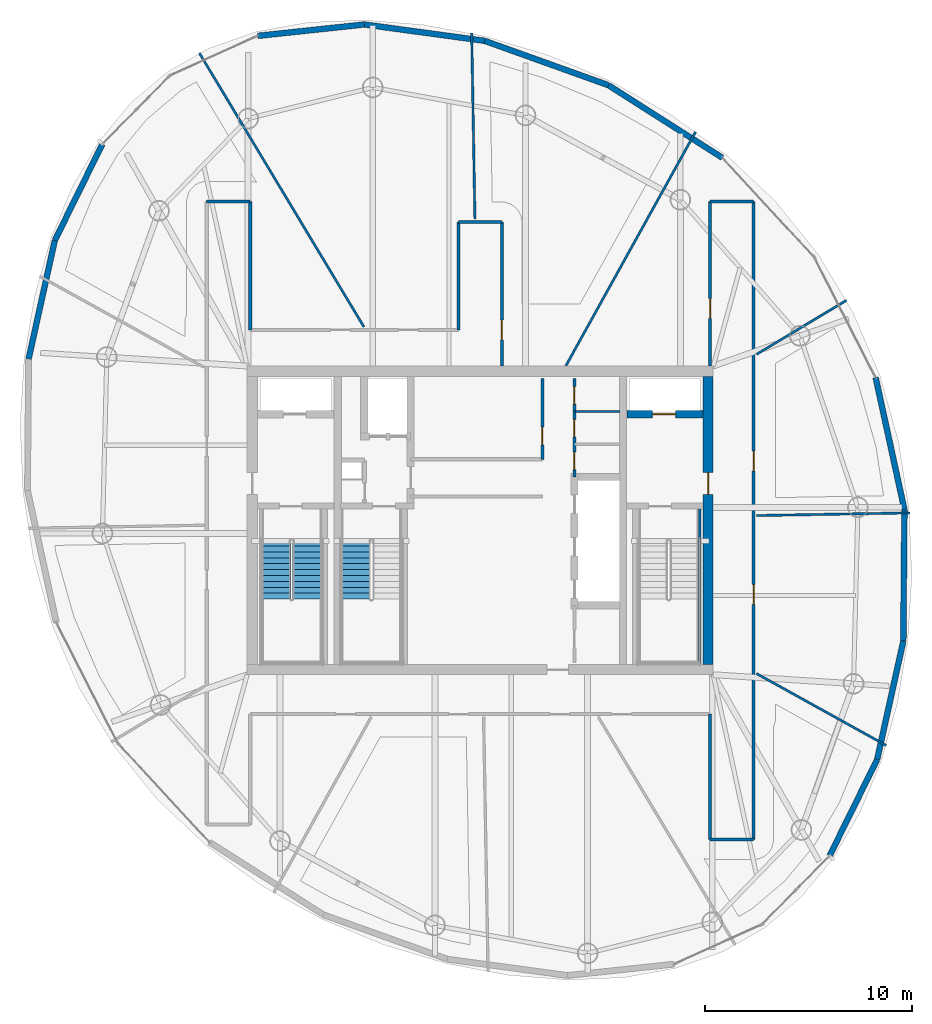
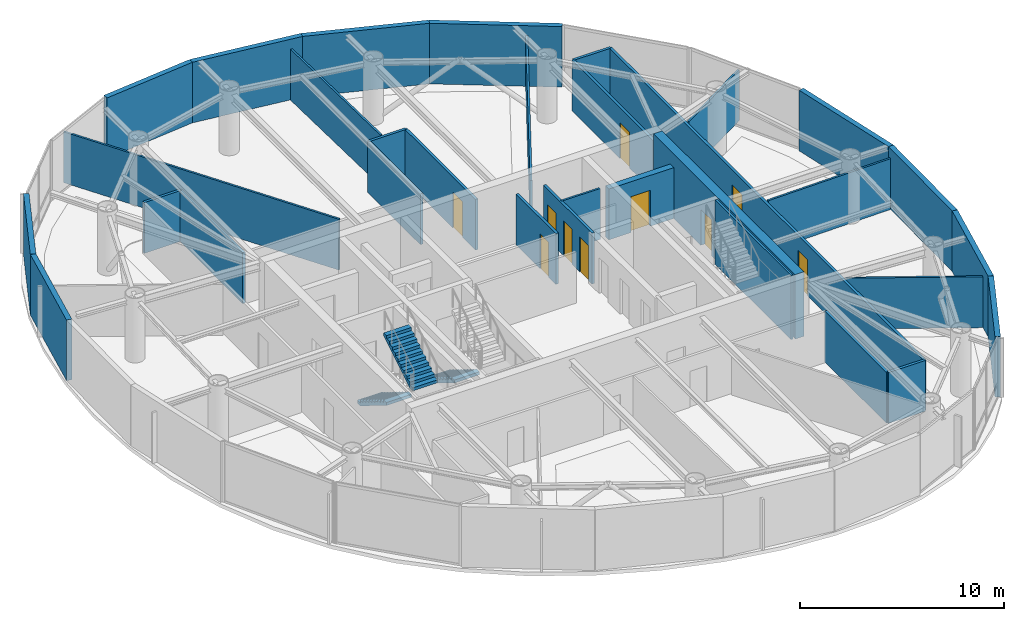
# One storey, part 18 of 22: 32 walls, 10 doors, 3 stair flights, 10 openings, 2 elements without a shape of their own.
"""IFC4 building model written with IfcOpenShell, lengths in metres."""

from ifc_helpers import new_model, si_unit, direction, frame, frame_2d, origin, place, context, subcontext, project, spatial, polyline, rectangle, outline, extrude, material, layer, layer_set, type_object, element, fill, aggregate, save


model = new_model("IFC4")

# Units and contexts
model_context = context("Model", 3, precision=1e-05, world=origin(), true_north=direction((0.0, 1.0)))
body_context = subcontext(model_context, "Body", "Model", "MODEL_VIEW")
ifc_project = project(units=[si_unit("LENGTHUNIT", "METRE"), si_unit("AREAUNIT", "SQUARE_METRE"), si_unit("VOLUMEUNIT", "CUBIC_METRE"), si_unit("PLANEANGLEUNIT", "RADIAN"), si_unit("MASSUNIT", "GRAM", prefix="KILO")], contexts=[model_context])

# Site, building, storey
site_placement = place(None, origin())
site = spatial("IfcSite", under=ifc_project, at=site_placement, CompositionType="ELEMENT")
building_placement = place(site_placement, origin())
building = spatial("IfcBuilding", under=site, at=building_placement, Name="Bramvorn Convention Spire", CompositionType="ELEMENT")
storey_placement = place(building_placement, frame((0.0, 0.0, 253.60009765625)))
storey = spatial("IfcBuildingStorey", under=building, at=storey_placement, Name="L64", CompositionType="ELEMENT", Elevation=253.60009765625)

# Wall, opening, door
ifc_material_1 = material(Name="Concrete C50/60", Category="concrete")
ifc_layer_1 = layer(ifc_material_1, 0.5)
ifc_layer_set_1 = layer_set([ifc_layer_1], Name="Concrete C50/60 - WL-CORE-500")
wall_type_1 = type_object("IfcWallType", Name="WL-CORE-500", PredefinedType="SHEAR", material=ifc_layer_set_1)
wall_1_placement = place(storey_placement, frame((49.0, 19.050048828125, 0.0), z_axis=(0.0, 0.0, 1.0), x_axis=(0.0, 1.0, 0.0)))
wall_1 = element("IfcWall", 1, at=wall_1_placement, inside=storey, type_object=wall_type_1, Name="L64 East RC core shear wall", PredefinedType="SHEAR", context=body_context, shape_type="SweptSolid", body=[
    extrude(rectangle(XDim=13.89990234375, YDim=0.5, at=frame_2d((6.949951171875, 0.0))), origin(), (0.0, 0.0, 1.0), 3.849853515625),
])
opening_1_placement = place(wall_1_placement, frame((8.199951171875, 0.0, 0.0)))
opening_1 = element("IfcOpeningElement", 2, at=opening_1_placement, cuts=wall_1, Name="Opening DL-105", PredefinedType="OPENING", context=body_context, shape_type="SweptSolid", body=[
    extrude(rectangle(XDim=1.050048828125, YDim=2.14990234375, at=frame_2d((0.52490234375, 1.074951171875))), frame((0.0, 0.260009765625, 0.0), z_axis=(0.0, -1.0, 0.0), x_axis=(1.0, 0.0, 0.0)), (0.0, 0.0, 1.0), 0.52001953125),
])
ifc_material_2 = material(Name="Smoke-Sealed Fire Lobby Timber-Core Door", Category="wood")
door_type_1 = type_object("IfcDoorType", Name="DR-LOBBY-1050", OperationType="NOTDEFINED", PredefinedType="DOOR", material=ifc_material_2)
door_1_placement = place(opening_1_placement, origin())
door_1 = element("IfcDoor", 3, at=door_1_placement, inside=storey, type_object=door_type_1, Name="L64 East Firefighting Lobby corridor door", OperationType="SINGLE_SWING_LEFT", OverallHeight=2.14990234375, OverallWidth=1.050048828125, PredefinedType="DOOR", context=body_context, shape_type="SweptSolid", body=[
    extrude(rectangle(XDim=1.050048828125, YDim=2.14990234375, at=frame_2d((0.52490234375, 1.074951171875))), frame((0.0, 0.02490234375, 0.0), z_axis=(0.0, -1.0, 0.0), x_axis=(1.0, 0.0, 0.0)), (0.0, 0.0, 1.0), 0.050048828125),
])
fill(opening_1, door_1)

ifc_layer_2 = layer(ifc_material_1, 0.35009765625)
ifc_layer_set_2 = layer_set([ifc_layer_2], Name="Concrete C50/60 - WL-CORE-INT-350")
wall_type_2 = type_object("IfcWallType", Name="WL-CORE-INT-350", PredefinedType="SHEAR", material=ifc_layer_set_2)
wall_2_placement = place(storey_placement, frame((45.080078125, 31.1201171875, 0.0), z_axis=(0.0, 0.0, 1.0), x_axis=(1.0, 0.0, 0.0)))
wall_2 = element("IfcWall", 4, at=wall_2_placement, inside=storey, type_object=wall_type_2, Name="L64 FE2 shaft front wall", PredefinedType="SHEAR", context=body_context, shape_type="SweptSolid", body=[
    extrude(rectangle(XDim=3.669921875, YDim=0.35009765625, at=frame_2d((1.8349609375, 0.0))), origin(), (0.0, 0.0, 1.0), 3.039794921875),
])
opening_2_placement = place(wall_2_placement, frame((1.25, 0.0, 0.0)))
opening_2 = element("IfcOpeningElement", 5, at=opening_2_placement, cuts=wall_2, Name="Opening LD-110", PredefinedType="OPENING", context=body_context, shape_type="SweptSolid", body=[
    extrude(rectangle(XDim=1.10009765625, YDim=2.14990234375, at=frame_2d((0.550048828125, 1.074951171875))), frame((0.0, 0.18505859375, 0.0), z_axis=(0.0, -1.0, 0.0), x_axis=(1.0, 0.0, 0.0)), (0.0, 0.0, 1.0), 0.3701171875),
])
ifc_material_3 = material(Name="Firefighting & Service Lift Sliding Landing Door", Category="steel")
door_type_2 = type_object("IfcDoorType", Name="DR-LIFT-LD-1100", OperationType="NOTDEFINED", PredefinedType="DOOR", material=ifc_material_3)
door_2_placement = place(opening_2_placement, origin())
door_2 = element("IfcDoor", 6, at=door_2_placement, inside=storey, type_object=door_type_2, Name="L64 Lift FE2 Sliding Landing Door", OperationType="SLIDING_TO_LEFT", OverallHeight=2.14990234375, OverallWidth=1.10009765625, PredefinedType="DOOR", context=body_context, shape_type="SweptSolid", body=[
    extrude(rectangle(XDim=1.10009765625, YDim=2.14990234375, at=frame_2d((0.550048828125, 1.074951171875))), frame((0.0, 0.02490234375, 0.0), z_axis=(0.0, -1.0, 0.0), x_axis=(1.0, 0.0, 0.0)), (0.0, 0.0, 1.0), 0.050048828125),
])
fill(opening_2, door_2)

# Walls
ifc_material_4 = material(Name="Precast Concrete C40/50 with Bronze Terracotta Rainscreen", Category="masonry")
ifc_layer_3 = layer(ifc_material_4, 0.300048828125)
ifc_layer_set_3 = layer_set([ifc_layer_3], Name="Precast Concrete C40/50 with Bronze Terracotta Rainscreen - WL-EXT-BRONZE-300")
wall_type_3 = type_object("IfcWallType", Name="WL-EXT-BRONZE-300", PredefinedType="SOLIDWALL", material=ifc_layer_set_3)
wall_3_placement = place(storey_placement, frame((57.16259765625, 14.4541015625, 0.0), z_axis=(0.0, 0.0, 1.0), x_axis=(-0.44296604634, -0.896538388352, 0.0)))
element("IfcWall", 7, at=wall_3_placement, inside=storey, type_object=wall_type_3, Name="L64 expressed bronze Gothic lancet pier wall 02", PredefinedType="SOLIDWALL", context=body_context, shape_type="SweptSolid", body=[
    extrude(rectangle(XDim=5.17919921875, YDim=0.280029296875, at=frame_2d((2.589599609375, 0.0))), origin(), (0.0, 0.0, 1.0), 3.625),
])
wall_4_placement = place(storey_placement, frame((58.4267578125, 20.176025390625, 0.0), z_axis=(0.0, 0.0, 1.0), x_axis=(-0.215730402944, -0.976452965199, 0.0)))
element("IfcWall", 8, at=wall_4_placement, inside=storey, type_object=wall_type_3, Name="L64 expressed bronze Gothic lancet pier wall 03", PredefinedType="SOLIDWALL", context=body_context, shape_type="SweptSolid", body=[
    extrude(rectangle(XDim=5.85986328125, YDim=0.280029296875, at=frame_2d((2.929931640625, 0.0))), origin(), (0.0, 0.0, 1.0), 3.625),
])
wall_5_placement = place(storey_placement, frame((58.479736328125, 26.52099609375, 0.0), z_axis=(0.0, 0.0, 1.0), x_axis=(-0.008349395362, -0.999965143191, 0.0)))
element("IfcWall", 9, at=wall_5_placement, inside=storey, type_object=wall_type_3, Name="L64 expressed bronze Gothic lancet pier wall 04", PredefinedType="SOLIDWALL", context=body_context, shape_type="SweptSolid", body=[
    extrude(rectangle(XDim=6.34521484375, YDim=0.280029296875, at=frame_2d((3.172607421875, 0.0))), origin(), (0.0, 0.0, 1.0), 3.625),
])
for number, where, z_axis, x_axis, name in (
    (10, (57.09033203125, 32.897705078125, 0.0), (0.0, 0.0, 1.0), (0.212892433961, -0.977075642702, 0.0), "L64 expressed bronze Gothic lancet pier wall 05"),
    (11, (44.1875, 47.008544921875, 0.0), (0.0, 0.0, 1.0), (0.843459639853, -0.537192550152, 0.0), "L64 expressed bronze Gothic lancet pier wall 08"),
):
    element("IfcWall", number, at=place(storey_placement, frame(where, z_axis=z_axis, x_axis=x_axis)), inside=storey, type_object=wall_type_3, Name=name, PredefinedType="SOLIDWALL", context=body_context, shape_type="SweptSolid", body=[
        extrude(rectangle(XDim=6.5263671875, YDim=0.280029296875, at=frame_2d((3.26318359375, 0.0))), origin(), (0.0, 0.0, 1.0), 3.625),
    ])
wall_6_placement = place(storey_placement, frame((38.214599609375, 49.149658203125, 0.0), z_axis=(0.0, 0.0, 1.0), x_axis=(0.941345169533, -0.337445213031, 0.0)))
element("IfcWall", 12, at=wall_6_placement, inside=storey, type_object=wall_type_3, Name="L64 expressed bronze Gothic lancet pier wall 09", PredefinedType="SOLIDWALL", context=body_context, shape_type="SweptSolid", body=[
    extrude(rectangle(XDim=6.344970703125, YDim=0.280029296875, at=frame_2d((3.17236328125, 0.0))), origin(), (0.0, 0.0, 1.0), 3.625),
])
wall_7_placement = place(storey_placement, frame((32.407958984375, 49.939208984375, 0.0), z_axis=(0.0, 0.0, 1.0), x_axis=(0.990881813427, -0.134733929727, 0.0)))
element("IfcWall", 13, at=wall_7_placement, inside=storey, type_object=wall_type_3, Name="L64 expressed bronze Gothic lancet pier wall 10", PredefinedType="SOLIDWALL", context=body_context, shape_type="SweptSolid", body=[
    extrude(rectangle(XDim=5.860107421875, YDim=0.280029296875, at=frame_2d((2.93017578125, 0.0))), origin(), (0.0, 0.0, 1.0), 3.625),
])
for number, where, z_axis, x_axis, name in (
    (14, (27.258056640625, 49.389404296875, 0.0), (0.0, 0.0, 1.0), (0.994349385692, 0.10615695537, 0.0), "L64 expressed bronze Gothic lancet pier wall 11"),
    (15, (17.464111328125, 39.514404296875, 0.0), (0.0, 0.0, 1.0), (0.44296604634, 0.896538388352, 0.0), "L64 expressed bronze Gothic lancet pier wall 14"),
):
    element("IfcWall", number, at=place(storey_placement, frame(where, z_axis=z_axis, x_axis=x_axis)), inside=storey, type_object=wall_type_3, Name=name, PredefinedType="SOLIDWALL", context=body_context, shape_type="SweptSolid", body=[
        extrude(rectangle(XDim=5.17919921875, YDim=0.280029296875, at=frame_2d((2.589599609375, 0.0))), origin(), (0.0, 0.0, 1.0), 3.625),
    ])
wall_8_placement = place(storey_placement, frame((16.2001953125, 33.792236328125, 0.0), z_axis=(0.0, 0.0, 1.0), x_axis=(0.215681903997, 0.97646367894, 0.0)))
element("IfcWall", 16, at=wall_8_placement, inside=storey, type_object=wall_type_3, Name="L64 expressed bronze Gothic lancet pier wall 15", PredefinedType="SOLIDWALL", context=body_context, shape_type="SweptSolid", body=[
    extrude(rectangle(XDim=5.860107421875, YDim=0.280029296875, at=frame_2d((2.93017578125, 0.0))), origin(), (0.0, 0.0, 1.0), 3.625),
])
ifc_material_5 = material(Name="Lightweight En-Suite & Wet-Wall Partition", Category="gypsum")
ifc_layer_4 = layer(ifc_material_5, 0.110107421875)
ifc_layer_set_4 = layer_set([ifc_layer_4], Name="Lightweight En-Suite & Wet-Wall Partition - WL-PART-110")
wall_type_4 = type_object("IfcWallType", Name="WL-PART-110", PredefinedType="PARTITIONING", material=ifc_layer_set_4)
wall_9_placement = place(storey_placement, frame((42.550048828125, 31.260009765625, 0.0), z_axis=(0.0, 0.0, 1.0), x_axis=(1.0, 0.0, 0.0)))
element("IfcWall", 17, at=wall_9_placement, inside=storey, type_object=wall_type_4, Name="L64 KC NE div 2", PredefinedType="PARTITIONING", context=body_context, shape_type="SweptSolid", body=[
    extrude(rectangle(XDim=2.199951171875, YDim=0.110107421875, at=frame_2d((1.10009765625, 0.0))), origin(), (0.0, 0.0, 1.0), 3.039794921875),
])
wall_10_placement = place(storey_placement, frame((51.340087890625, 26.23291015625, 0.0), z_axis=(0.0, 0.0, 1.0), x_axis=(0.999847881994, 0.017441699244, 0.0)))
element("IfcWall", 18, at=wall_10_placement, inside=storey, type_object=wall_type_4, Name="L64 Tenant suite partition 1", PredefinedType="PARTITIONING", context=body_context, shape_type="SweptSolid", body=[
    extrude(rectangle(XDim=7.40478515625, YDim=0.110107421875, at=frame_2d((3.702392578125, 0.0))), origin(), (0.0, 0.0, 1.0), 3.039794921875),
])
wall_11_placement = place(storey_placement, frame((51.340087890625, 34.015380859375, 0.0), z_axis=(0.0, 0.0, 1.0), x_axis=(0.857144436963, 0.515076124649, 0.0)))
element("IfcWall", 19, at=wall_11_placement, inside=storey, type_object=wall_type_4, Name="L64 Tenant suite partition 2", PredefinedType="PARTITIONING", context=body_context, shape_type="SweptSolid", body=[
    extrude(rectangle(XDim=5.07177734375, YDim=0.110107421875, at=frame_2d((2.535888671875, 0.0))), origin(), (0.0, 0.0, 1.0), 3.039794921875),
])
wall_12_placement = place(storey_placement, frame((42.140625, 33.469970703125, 0.0), z_axis=(0.0, 0.0, 1.0), x_axis=(0.4848063211, 0.874621535878, 0.0)))
element("IfcWall", 20, at=wall_12_placement, inside=storey, type_object=wall_type_4, Name="L64 Tenant suite partition 3", PredefinedType="PARTITIONING", context=body_context, shape_type="SweptSolid", body=[
    extrude(rectangle(XDim=12.912353515625, YDim=0.110107421875, at=frame_2d((6.4560546875, 0.0))), origin(), (0.0, 0.0, 1.0), 3.039794921875),
])
wall_13_placement = place(storey_placement, frame((37.74609375, 40.5400390625, 0.0), z_axis=(0.0, 0.0, 1.0), x_axis=(-0.017448211892, 0.999847768364, 0.0)))
element("IfcWall", 21, at=wall_13_placement, inside=storey, type_object=wall_type_4, Name="L64 Tenant suite partition 4", PredefinedType="PARTITIONING", context=body_context, shape_type="SweptSolid", body=[
    extrude(rectangle(XDim=8.983154296875, YDim=0.110107421875, at=frame_2d((4.49169921875, 0.0))), origin(), (0.0, 0.0, 1.0), 3.039794921875),
])
wall_14_placement = place(storey_placement, frame((32.387939453125, 35.340087890625, 0.0), z_axis=(0.0, 0.0, 1.0), x_axis=(-0.515035560083, 0.857168811758, 0.0)))
element("IfcWall", 22, at=wall_14_placement, inside=storey, type_object=wall_type_4, Name="L64 Tenant suite partition 5", PredefinedType="PARTITIONING", context=body_context, shape_type="SweptSolid", body=[
    extrude(rectangle(XDim=15.427734375, YDim=0.110107421875, at=frame_2d((7.7138671875, 0.0))), origin(), (0.0, 0.0, 1.0), 3.039794921875),
])
wall_15_placement = place(storey_placement, frame((51.340087890625, 18.60546875, 0.0), z_axis=(0.0, 0.0, 1.0), x_axis=(0.874626215233, -0.484797879149, 0.0)))
element("IfcWall", 23, at=wall_15_placement, inside=storey, type_object=wall_type_4, Name="L64 Tenant suite partition 12", PredefinedType="PARTITIONING", context=body_context, shape_type="SweptSolid", body=[
    extrude(rectangle(XDim=7.16455078125, YDim=0.110107421875, at=frame_2d((3.582275390625, 0.0))), origin(), (0.0, 0.0, 1.0), 3.039794921875),
])

# Wall, opening, door
ifc_material_6 = material(Name="Acoustic Metal-Stud Tenant/Corridor Partition", Category="gypsum")
ifc_layer_5 = layer(ifc_material_6, 0.14990234375)
ifc_layer_set_5 = layer_set([ifc_layer_5], Name="Acoustic Metal-Stud Tenant/Corridor Partition - WL-PART-150")
wall_type_5 = type_object("IfcWallType", Name="WL-PART-150", PredefinedType="PARTITIONING", material=ifc_layer_set_5)
wall_16_placement = place(storey_placement, frame((41.0, 28.949951171875, 0.0), z_axis=(0.0, 0.0, 1.0), x_axis=(0.0, 1.0, 0.0)))
wall_16 = element("IfcWall", 24, at=wall_16_placement, inside=storey, type_object=wall_type_5, Name="L64 Freed north shaft room wall", PredefinedType="PARTITIONING", context=body_context, shape_type="SweptSolid", body=[
    extrude(rectangle(XDim=3.900146484375, YDim=0.14990234375, at=frame_2d((1.9501953125, 0.0))), origin(), (0.0, 0.0, 1.0), 3.039794921875),
])
opening_3_placement = place(wall_16_placement, frame((0.699951171875, 0.0, 0.0)))
opening_3 = element("IfcOpeningElement", 25, at=opening_3_placement, cuts=wall_16, Name="Opening DC-085", PredefinedType="OPENING", context=body_context, shape_type="SweptSolid", body=[
    extrude(rectangle(XDim=0.85009765625, YDim=2.10009765625, at=frame_2d((0.425048828125, 1.050048828125))), frame((0.0, 0.0849609375, 0.0), z_axis=(0.0, -1.0, 0.0), x_axis=(1.0, 0.0, 0.0)), (0.0, 0.0, 1.0), 0.169921875),
])
ifc_material_7 = material(Name="Fire-Rated Core Washroom & IDF Door", Category="wood")
door_type_3 = type_object("IfcDoorType", Name="DR-CORE-850", OperationType="NOTDEFINED", PredefinedType="DOOR", material=ifc_material_7)
door_3_placement = place(opening_3_placement, origin())
door_3 = element("IfcDoor", 26, at=door_3_placement, inside=storey, type_object=door_type_3, Name="L64 North core archive door", OperationType="SINGLE_SWING_LEFT", OverallHeight=2.10009765625, OverallWidth=0.85009765625, PredefinedType="DOOR", context=body_context, shape_type="SweptSolid", body=[
    extrude(rectangle(XDim=0.85009765625, YDim=2.10009765625, at=frame_2d((0.425048828125, 1.050048828125))), frame((0.0, 0.02490234375, 0.0), z_axis=(0.0, -1.0, 0.0), x_axis=(1.0, 0.0, 0.0)), (0.0, 0.0, 1.0), 0.050048828125),
])
fill(opening_3, door_3)

# Wall, openings, doors
wall_17_placement = place(storey_placement, frame((42.550048828125, 28.10009765625, 0.0), z_axis=(0.0, 0.0, 1.0), x_axis=(0.0, 1.0, 0.0)))
wall_17 = element("IfcWall", 27, at=wall_17_placement, inside=storey, type_object=wall_type_5, Name="L64 KC NE wall", PredefinedType="PARTITIONING", context=body_context, shape_type="SweptSolid", body=[
    extrude(rectangle(XDim=4.75, YDim=0.14990234375, at=frame_2d((2.375, 0.0))), origin(), (0.0, 0.0, 1.0), 3.039794921875),
])
opening_4_placement = place(wall_17_placement, frame((0.35009765625, 0.0, 0.0)))
opening_4 = element("IfcOpeningElement", 28, at=opening_4_placement, cuts=wall_17, Name="Opening DC-085", PredefinedType="OPENING", context=body_context, shape_type="SweptSolid", body=[
    extrude(rectangle(XDim=0.85009765625, YDim=2.10009765625, at=frame_2d((0.425048828125, 1.050048828125))), frame((0.0, 0.0849609375, 0.0), z_axis=(0.0, -1.0, 0.0), x_axis=(1.0, 0.0, 0.0)), (0.0, 0.0, 1.0), 0.169921875),
])
opening_5_placement = place(wall_17_placement, frame((1.929931640625, 0.0, 0.0)))
opening_5 = element("IfcOpeningElement", 29, at=opening_5_placement, cuts=wall_17, Name="Opening DC-085", PredefinedType="OPENING", context=body_context, shape_type="SweptSolid", body=[
    extrude(rectangle(XDim=0.85009765625, YDim=2.10009765625, at=frame_2d((0.425048828125, 1.050048828125))), frame((0.0, 0.0849609375, 0.0), z_axis=(0.0, -1.0, 0.0), x_axis=(1.0, 0.0, 0.0)), (0.0, 0.0, 1.0), 0.169921875),
])
opening_6_placement = place(wall_17_placement, frame((3.510009765625, 0.0, 0.0)))
opening_6 = element("IfcOpeningElement", 30, at=opening_6_placement, cuts=wall_17, Name="Opening DC-085", PredefinedType="OPENING", context=body_context, shape_type="SweptSolid", body=[
    extrude(rectangle(XDim=0.85009765625, YDim=2.10009765625, at=frame_2d((0.425048828125, 1.050048828125))), frame((0.0, 0.0849609375, 0.0), z_axis=(0.0, -1.0, 0.0), x_axis=(1.0, 0.0, 0.0)), (0.0, 0.0, 1.0), 0.169921875),
])
door_4_placement = place(opening_4_placement, origin())
door_4 = element("IfcDoor", 31, at=door_4_placement, inside=storey, type_object=door_type_3, Name="L64 Accessible Core Restroom door", OperationType="SINGLE_SWING_LEFT", OverallHeight=2.10009765625, OverallWidth=0.85009765625, PredefinedType="DOOR", context=body_context, shape_type="SweptSolid", body=[
    extrude(rectangle(XDim=0.85009765625, YDim=2.10009765625, at=frame_2d((0.425048828125, 1.050048828125))), frame((0.0, 0.02490234375, 0.0), z_axis=(0.0, -1.0, 0.0), x_axis=(1.0, 0.0, 0.0)), (0.0, 0.0, 1.0), 0.050048828125),
])
fill(opening_4, door_4)
door_5_placement = place(opening_5_placement, origin())
door_5 = element("IfcDoor", 32, at=door_5_placement, inside=storey, type_object=door_type_3, Name="L64 Tenant Pantry & Copy Centre door", OperationType="SINGLE_SWING_LEFT", OverallHeight=2.10009765625, OverallWidth=0.85009765625, PredefinedType="DOOR", context=body_context, shape_type="SweptSolid", body=[
    extrude(rectangle(XDim=0.85009765625, YDim=2.10009765625, at=frame_2d((0.425048828125, 1.050048828125))), frame((0.0, 0.02490234375, 0.0), z_axis=(0.0, -1.0, 0.0), x_axis=(1.0, 0.0, 0.0)), (0.0, 0.0, 1.0), 0.050048828125),
])
fill(opening_5, door_5)
door_6_placement = place(opening_6_placement, origin())
door_6 = element("IfcDoor", 33, at=door_6_placement, inside=storey, type_object=door_type_3, Name="L64 Core Comms Closet door", OperationType="SINGLE_SWING_LEFT", OverallHeight=2.10009765625, OverallWidth=0.85009765625, PredefinedType="DOOR", context=body_context, shape_type="SweptSolid", body=[
    extrude(rectangle(XDim=0.85009765625, YDim=2.10009765625, at=frame_2d((0.425048828125, 1.050048828125))), frame((0.0, 0.02490234375, 0.0), z_axis=(0.0, -1.0, 0.0), x_axis=(1.0, 0.0, 0.0)), (0.0, 0.0, 1.0), 0.050048828125),
])
fill(opening_6, door_6)

# Walls
wall_18_placement = place(storey_placement, frame((26.89990234375, 35.199951171875, 0.0), z_axis=(0.0, 0.0, 1.0), x_axis=(0.0, 1.0, 0.0)))
element("IfcWall", 34, at=wall_18_placement, inside=storey, type_object=wall_type_5, Name="L64 West gallery NE wall", PredefinedType="PARTITIONING", context=body_context, shape_type="SweptSolid", body=[
    extrude(rectangle(XDim=6.199951171875, YDim=0.14990234375, at=frame_2d((3.10009765625, 0.0))), origin(), (0.0, 0.0, 1.0), 3.039794921875),
])
wall_19_placement = place(storey_placement, frame((24.800048828125, 41.39990234375, 0.0), z_axis=(0.0, 0.0, 1.0), x_axis=(1.0, 0.0, 0.0)))
element("IfcWall", 35, at=wall_19_placement, inside=storey, type_object=wall_type_5, Name="L64 West gallery north end", PredefinedType="PARTITIONING", context=body_context, shape_type="SweptSolid", body=[
    extrude(rectangle(XDim=2.099853515625, YDim=0.14990234375, at=frame_2d((1.0498046875, 0.0))), origin(), (0.0, 0.0, 1.0), 3.039794921875),
])

# Wall, openings, doors
wall_20_placement = place(storey_placement, frame((51.199951171875, 10.60009765625, 0.0), z_axis=(0.0, 0.0, 1.0), x_axis=(0.0, 1.0, 0.0)))
wall_20 = element("IfcWall", 36, at=wall_20_placement, inside=storey, type_object=wall_type_5, Name="L64 East N-S gallery outer wall", PredefinedType="PARTITIONING", context=body_context, shape_type="SweptSolid", body=[
    extrude(rectangle(XDim=30.7998046875, YDim=0.14990234375, at=frame_2d((15.39990234375, 0.0))), origin(), (0.0, 0.0, 1.0), 3.039794921875),
])
opening_7_placement = place(wall_20_placement, frame((17.7900390625, 0.0, 0.0)))
opening_7 = element("IfcOpeningElement", 37, at=opening_7_placement, cuts=wall_20, Name="Opening DH-095", PredefinedType="OPENING", context=body_context, shape_type="SweptSolid", body=[
    extrude(rectangle(XDim=0.949951171875, YDim=2.14990234375, at=frame_2d((0.47509765625, 1.074951171875))), frame((0.0, 0.0849609375, 0.0), z_axis=(0.0, -1.0, 0.0), x_axis=(1.0, 0.0, 0.0)), (0.0, 0.0, 1.0), 0.169921875),
])
opening_8_placement = place(wall_20_placement, frame((11.34814453125, 0.0, 0.0)))
opening_8 = element("IfcOpeningElement", 38, at=opening_8_placement, cuts=wall_20, Name="Opening DH-095", PredefinedType="OPENING", context=body_context, shape_type="SweptSolid", body=[
    extrude(rectangle(XDim=0.949951171875, YDim=2.14990234375, at=frame_2d((0.47509765625, 1.074951171875))), frame((0.0, 0.0849609375, 0.0), z_axis=(0.0, -1.0, 0.0), x_axis=(1.0, 0.0, 0.0)), (0.0, 0.0, 1.0), 0.169921875),
])
ifc_material_8 = material(Name="Solid-Core Acoustic Guestroom Entry Door", Category="wood")
door_type_4 = type_object("IfcDoorType", Name="DR-HOTEL-950", OperationType="NOTDEFINED", PredefinedType="DOOR", material=ifc_material_8)
door_7_placement = place(opening_7_placement, origin())
door_7 = element("IfcDoor", 39, at=door_7_placement, inside=storey, type_object=door_type_4, Name="L64 Partner Office Chamber 1 1 door", OperationType="SINGLE_SWING_RIGHT", OverallHeight=2.14990234375, OverallWidth=0.949951171875, PredefinedType="DOOR", context=body_context, shape_type="SweptSolid", body=[
    extrude(rectangle(XDim=0.949951171875, YDim=2.14990234375, at=frame_2d((0.47509765625, 1.074951171875))), frame((0.0, 0.02490234375, 0.0), z_axis=(0.0, -1.0, 0.0), x_axis=(1.0, 0.0, 0.0)), (0.0, 0.0, 1.0), 0.050048828125),
])
fill(opening_7, door_7)
door_8_placement = place(opening_8_placement, origin())
door_8 = element("IfcDoor", 40, at=door_8_placement, inside=storey, type_object=door_type_4, Name="L64 Partner Office Chamber 1 12 door", OperationType="SINGLE_SWING_RIGHT", OverallHeight=2.14990234375, OverallWidth=0.949951171875, PredefinedType="DOOR", context=body_context, shape_type="SweptSolid", body=[
    extrude(rectangle(XDim=0.949951171875, YDim=2.14990234375, at=frame_2d((0.47509765625, 1.074951171875))), frame((0.0, 0.02490234375, 0.0), z_axis=(0.0, -1.0, 0.0), x_axis=(1.0, 0.0, 0.0)), (0.0, 0.0, 1.0), 0.050048828125),
])
fill(opening_8, door_8)

# Wall
wall_21_placement = place(storey_placement, frame((49.10009765625, 10.60009765625, 0.0), z_axis=(0.0, 0.0, 1.0), x_axis=(0.0, 1.0, 0.0)))
element("IfcWall", 41, at=wall_21_placement, inside=storey, type_object=wall_type_5, Name="L64 East gallery SW wall", PredefinedType="PARTITIONING", context=body_context, shape_type="SweptSolid", body=[
    extrude(rectangle(XDim=6.0498046875, YDim=0.14990234375, at=frame_2d((3.02490234375, 0.0))), origin(), (0.0, 0.0, 1.0), 3.039794921875),
])

# Wall, opening, door
wall_22_placement = place(storey_placement, frame((49.10009765625, 33.449951171875, 0.0), z_axis=(0.0, 0.0, 1.0), x_axis=(0.0, 1.0, 0.0)))
wall_22 = element("IfcWall", 42, at=wall_22_placement, inside=storey, type_object=wall_type_5, Name="L64 East gallery NW wall", PredefinedType="PARTITIONING", context=body_context, shape_type="SweptSolid", body=[
    extrude(rectangle(XDim=7.949951171875, YDim=0.14990234375, at=frame_2d((3.97509765625, 0.0))), origin(), (0.0, 0.0, 1.0), 3.039794921875),
])
opening_9_placement = place(wall_22_placement, frame((2.3076171875, 0.0, 0.0)))
opening_9 = element("IfcOpeningElement", 43, at=opening_9_placement, cuts=wall_22, Name="Opening DH-095", PredefinedType="OPENING", context=body_context, shape_type="SweptSolid", body=[
    extrude(rectangle(XDim=0.949951171875, YDim=2.14990234375, at=frame_2d((0.47509765625, 1.074951171875))), frame((0.0, 0.0849609375, 0.0), z_axis=(0.0, -1.0, 0.0), x_axis=(1.0, 0.0, 0.0)), (0.0, 0.0, 1.0), 0.169921875),
])
door_9_placement = place(opening_9_placement, origin())
door_9 = element("IfcDoor", 44, at=door_9_placement, inside=storey, type_object=door_type_4, Name="L64 Partner Office Chamber 2 2 door", OperationType="SINGLE_SWING_LEFT", OverallHeight=2.14990234375, OverallWidth=0.949951171875, PredefinedType="DOOR", context=body_context, shape_type="SweptSolid", body=[
    extrude(rectangle(XDim=0.949951171875, YDim=2.14990234375, at=frame_2d((0.47509765625, 1.074951171875))), frame((0.0, 0.02490234375, 0.0), z_axis=(0.0, -1.0, 0.0), x_axis=(1.0, 0.0, 0.0)), (0.0, 0.0, 1.0), 0.050048828125),
])
fill(opening_9, door_9)

# Walls
for number, where, z_axis, x_axis, name in (
    (45, (49.10009765625, 10.60009765625, 0.0), (0.0, 0.0, 1.0), (1.0, 0.0, 0.0), "L64 East gallery south end"),
    (46, (49.10009765625, 41.39990234375, 0.0), (0.0, 0.0, 1.0), (1.0, 0.0, 0.0), "L64 East gallery north end"),
):
    element("IfcWall", number, at=place(storey_placement, frame(where, z_axis=z_axis, x_axis=x_axis)), inside=storey, type_object=wall_type_5, Name=name, PredefinedType="PARTITIONING", context=body_context, shape_type="SweptSolid", body=[
        extrude(rectangle(XDim=2.099853515625, YDim=0.14990234375, at=frame_2d((1.0498046875, 0.0))), origin(), (0.0, 0.0, 1.0), 3.039794921875),
    ])
wall_23_placement = place(storey_placement, frame((36.949951171875, 35.199951171875, 0.0), z_axis=(0.0, 0.0, 1.0), x_axis=(0.0, 1.0, 0.0)))
element("IfcWall", 47, at=wall_23_placement, inside=storey, type_object=wall_type_5, Name="L64 North spur west wall", PredefinedType="PARTITIONING", context=body_context, shape_type="SweptSolid", body=[
    extrude(rectangle(XDim=5.199951171875, YDim=0.14990234375, at=frame_2d((2.60009765625, 0.0))), origin(), (0.0, 0.0, 1.0), 3.039794921875),
])

# Wall, opening, door
wall_24_placement = place(storey_placement, frame((39.050048828125, 33.449951171875, 0.0), z_axis=(0.0, 0.0, 1.0), x_axis=(0.0, 1.0, 0.0)))
wall_24 = element("IfcWall", 48, at=wall_24_placement, inside=storey, type_object=wall_type_5, Name="L64 North spur east wall", PredefinedType="PARTITIONING", context=body_context, shape_type="SweptSolid", body=[
    extrude(rectangle(XDim=6.949951171875, YDim=0.14990234375, at=frame_2d((3.47509765625, 0.0))), origin(), (0.0, 0.0, 1.0), 3.039794921875),
])
opening_10_placement = place(wall_24_placement, frame((1.262451171875, 0.0, 0.0)))
opening_10 = element("IfcOpeningElement", 49, at=opening_10_placement, cuts=wall_24, Name="Opening DH-095", PredefinedType="OPENING", context=body_context, shape_type="SweptSolid", body=[
    extrude(rectangle(XDim=0.949951171875, YDim=2.14990234375, at=frame_2d((0.47509765625, 1.074951171875))), frame((0.0, 0.0849609375, 0.0), z_axis=(0.0, -1.0, 0.0), x_axis=(1.0, 0.0, 0.0)), (0.0, 0.0, 1.0), 0.169921875),
])
door_10_placement = place(opening_10_placement, origin())
door_10 = element("IfcDoor", 50, at=door_10_placement, inside=storey, type_object=door_type_4, Name="L64 Partner Office Chamber 3 3 door", OperationType="SINGLE_SWING_LEFT", OverallHeight=2.14990234375, OverallWidth=0.949951171875, PredefinedType="DOOR", context=body_context, shape_type="SweptSolid", body=[
    extrude(rectangle(XDim=0.949951171875, YDim=2.14990234375, at=frame_2d((0.47509765625, 1.074951171875))), frame((0.0, 0.02490234375, 0.0), z_axis=(0.0, -1.0, 0.0), x_axis=(1.0, 0.0, 0.0)), (0.0, 0.0, 1.0), 0.050048828125),
])
fill(opening_10, door_10)

# Walls
wall_25_placement = place(storey_placement, frame((36.949951171875, 40.39990234375, 0.0), z_axis=(0.0, 0.0, 1.0), x_axis=(1.0, 0.0, 0.0)))
element("IfcWall", 51, at=wall_25_placement, inside=storey, type_object=wall_type_5, Name="L64 North spur end wall", PredefinedType="PARTITIONING", context=body_context, shape_type="SweptSolid", body=[
    extrude(rectangle(XDim=2.10009765625, YDim=0.14990234375, at=frame_2d((1.050048828125, 0.0))), origin(), (0.0, 0.0, 1.0), 3.039794921875),
])
ifc_layer_6 = layer(ifc_material_1, 0.1201171875)
ifc_layer_set_6 = layer_set([ifc_layer_6], Name="Concrete C50/60 - WL-STAIR-RC-120")
wall_type_6 = type_object("IfcWallType", Name="WL-STAIR-RC-120", PredefinedType="SHEAR", material=ifc_layer_set_6)
wall_26_placement = place(storey_placement, frame((48.60498046875, 19.10009765625, 0.0), z_axis=(0.0, 0.0, 1.0), x_axis=(0.0, 1.0, 0.0)))
element("IfcWall", 52, at=wall_26_placement, inside=storey, type_object=wall_type_6, Name="L64 ST2 east bearing shear wall", PredefinedType="SHEAR", context=body_context, shape_type="SweptSolid", body=[
    extrude(rectangle(XDim=7.449951171875, YDim=0.1201171875, at=frame_2d((3.72509765625, 0.0))), origin(), (0.0, 0.0, 1.0), 3.849853515625),
])

# Stair, stair flights
ifc_material_9 = material(Name="Concrete C40/50 Precast Stair", Category="concrete")
stair_type = type_object("IfcStairType", Name="ST-TOWER-1550", PredefinedType="HALF_TURN_STAIR", material=ifc_material_9)
stair_1_placement = place(storey_placement, origin())
stair_1 = element("IfcStair", 53, at=stair_1_placement, inside=storey, type_object=stair_type, Name="L64 Protected Exit Stair ST1", PredefinedType="HALF_TURN_STAIR")
ifc_material_10 = material(Name="Concrete C40/50 Precast Stair Flight", Category="concrete")
stair_flight_type = type_object("IfcStairFlightType", Name="STF-TOWER-1550", PredefinedType="STRAIGHT", material=ifc_material_10)
stair_flight_1_placement = place(storey_placement, frame((28.155029296875, 25.050048828125, 0.0), z_axis=(0.0, 0.0, 1.0), x_axis=(0.0, -1.0, 0.0)))
stair_flight_1 = element("IfcStairFlight", 54, at=stair_flight_1_placement, type_object=stair_flight_type, Name="ST1 flight 1", NumberOfRisers=11, NumberOfTreads=10, PredefinedType="STRAIGHT", RiserHeight=0.175, TreadLength=0.285, context=body_context, shape_type="SweptSolid", body=[
    extrude(outline(polyline([(0.0, 0.0), (0.0, 0.175048828125), (0.284912109375, 0.175048828125), (0.284912109375, 0.35009765625), (0.570068359375, 0.35009765625), (0.570068359375, 0.52490234375), (0.85498046875, 0.52490234375), (0.85498046875, 0.699951171875), (1.139892578125, 0.699951171875), (1.139892578125, 0.875), (1.425048828125, 0.875), (1.425048828125, 1.050048828125), (1.7099609375, 1.050048828125), (1.7099609375, 1.22509765625), (1.9951171875, 1.22509765625), (1.9951171875, 1.39990234375), (2.280029296875, 1.39990234375), (2.280029296875, 1.574951171875), (2.56494140625, 1.574951171875), (2.56494140625, 1.75), (2.85009765625, 1.75), (2.85009765625, 1.925048828125), (2.85009765625, 1.573974609375), (0.286376953125, 0.0), (0.0, 0.0)])), frame((0.0, 0.705078125, 0.0), z_axis=(0.0, -1.0, 0.0), x_axis=(1.0, 0.0, 0.0)), (0.0, 0.0, 1.0), 1.409912109375),
])
stair_flight_2_placement = place(storey_placement, frame((29.64501953125, 22.199951171875, 1.9248046875), z_axis=(0.0, 0.0, 1.0), x_axis=(0.0, 1.0, 0.0)))
stair_flight_2 = element("IfcStairFlight", 55, at=stair_flight_2_placement, type_object=stair_flight_type, Name="ST1 flight 2", NumberOfRisers=11, NumberOfTreads=10, PredefinedType="STRAIGHT", RiserHeight=0.175, TreadLength=0.285, context=body_context, shape_type="SweptSolid", body=[
    extrude(outline(polyline([(0.0, 0.0), (0.0, 0.175048828125), (0.284912109375, 0.175048828125), (0.284912109375, 0.35009765625), (0.570068359375, 0.35009765625), (0.570068359375, 0.52490234375), (0.85498046875, 0.52490234375), (0.85498046875, 0.699951171875), (1.139892578125, 0.699951171875), (1.139892578125, 0.875), (1.425048828125, 0.875), (1.425048828125, 1.050048828125), (1.7099609375, 1.050048828125), (1.7099609375, 1.22509765625), (1.9951171875, 1.22509765625), (1.9951171875, 1.39990234375), (2.280029296875, 1.39990234375), (2.280029296875, 1.574951171875), (2.56494140625, 1.574951171875), (2.56494140625, 1.75), (2.85009765625, 1.75), (2.85009765625, 1.925048828125), (2.85009765625, 1.573974609375), (0.286376953125, 0.0), (0.0, 0.0)])), frame((0.0, 0.705078125, 0.0), z_axis=(0.0, -1.0, 0.0), x_axis=(1.0, 0.0, 0.0)), (0.0, 0.0, 1.0), 1.409912109375),
])
aggregate(stair_1, [stair_flight_1, stair_flight_2])

# Stair, stair flight
stair_2_placement = place(storey_placement, origin())
stair_2 = element("IfcStair", 56, at=stair_2_placement, inside=storey, type_object=stair_type, Name="L64 Protected Exit Stair ST3", PredefinedType="HALF_TURN_STAIR")
stair_flight_3_placement = place(storey_placement, frame((32.0048828125, 25.050048828125, 0.0), z_axis=(0.0, 0.0, 1.0), x_axis=(0.0, -1.0, 0.0)))
stair_flight_3 = element("IfcStairFlight", 57, at=stair_flight_3_placement, type_object=stair_flight_type, Name="ST3 flight 1", NumberOfRisers=11, NumberOfTreads=10, PredefinedType="STRAIGHT", RiserHeight=0.175, TreadLength=0.285, context=body_context, shape_type="SweptSolid", body=[
    extrude(outline(polyline([(0.0, 0.0), (0.0, 0.175048828125), (0.284912109375, 0.175048828125), (0.284912109375, 0.35009765625), (0.570068359375, 0.35009765625), (0.570068359375, 0.52490234375), (0.85498046875, 0.52490234375), (0.85498046875, 0.699951171875), (1.139892578125, 0.699951171875), (1.139892578125, 0.875), (1.425048828125, 0.875), (1.425048828125, 1.050048828125), (1.7099609375, 1.050048828125), (1.7099609375, 1.22509765625), (1.9951171875, 1.22509765625), (1.9951171875, 1.39990234375), (2.280029296875, 1.39990234375), (2.280029296875, 1.574951171875), (2.56494140625, 1.574951171875), (2.56494140625, 1.75), (2.85009765625, 1.75), (2.85009765625, 1.925048828125), (2.85009765625, 1.573974609375), (0.286376953125, 0.0), (0.0, 0.0)])), frame((0.0, 0.705078125, 0.0), z_axis=(0.0, -1.0, 0.0), x_axis=(1.0, 0.0, 0.0)), (0.0, 0.0, 1.0), 1.409912109375),
])
aggregate(stair_2, [stair_flight_3])

save(model, "model.ifc")
